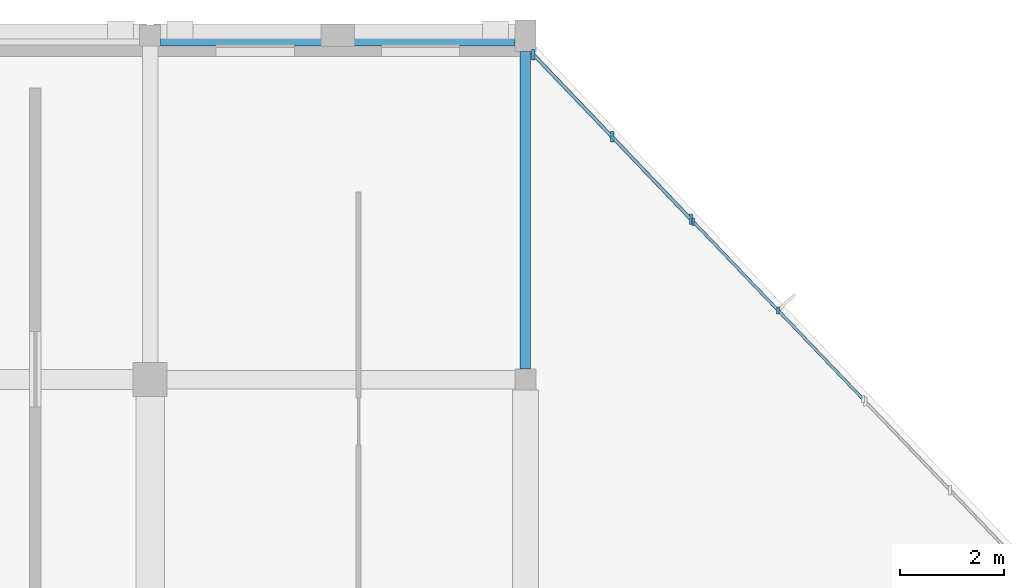
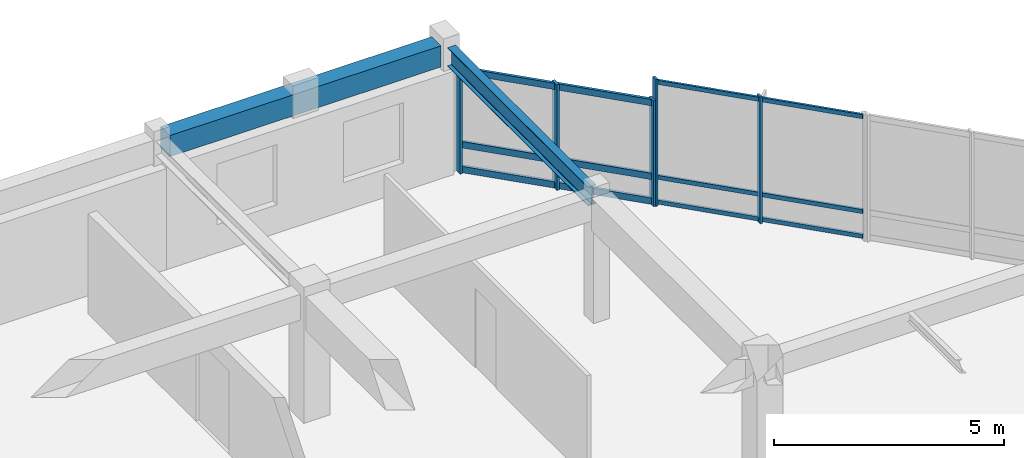
# One storey, part 9 of 18: 17 members, 2 beams, 2 elements without a shape of their own.
"""IFC4 building model written with IfcOpenShell, lengths in metres."""

from ifc_helpers import new_model, si_unit, direction, frame, origin, origin_2d, place, context, subcontext, project, spatial, rectangle, i_section, extrude, material, material_profile, profile_set, type_object, element, aggregate, save


model = new_model("IFC4")

# Units and contexts
model_context = context("Model", 3, precision=1e-05, world=origin(), true_north=direction((0.0, 1.0)))
body_context = subcontext(model_context, "Body", "Model", "MODEL_VIEW")
ifc_project = project(units=[si_unit("LENGTHUNIT", "METRE"), si_unit("AREAUNIT", "SQUARE_METRE"), si_unit("VOLUMEUNIT", "CUBIC_METRE"), si_unit("PLANEANGLEUNIT", "RADIAN"), si_unit("MASSUNIT", "GRAM", prefix="KILO")], contexts=[model_context])

# Site, building, storey
site_placement = place(None, origin())
site = spatial("IfcSite", under=ifc_project, at=site_placement, CompositionType="ELEMENT")
building_placement = place(site_placement, origin())
building = spatial("IfcBuilding", under=site, at=building_placement, Name="Clarverna Civic Hall", CompositionType="ELEMENT")
storey_placement = place(building_placement, frame((0.0, 0.0, 20.39990234375)))
storey = spatial("IfcBuildingStorey", under=building, at=storey_placement, Name="L05", CompositionType="ELEMENT", Elevation=20.39990234375)

# Beams
ifc_material_1 = material(Name="Concrete C35/45", Category="concrete")
ifc_material_profile_1 = material_profile(ifc_material_1, rectangle(XDim=0.39990234375, YDim=0.56005859375, at=origin_2d()), Name="RC 400x560")
ifc_profile_set_1 = profile_set([ifc_material_profile_1], Name="Concrete C35/45")
beam_type_1 = type_object("IfcBeamType", Name="B-SP4", PredefinedType="SPANDREL", material=ifc_profile_set_1)
beam_1_placement = place(storey_placement, frame((147.800048828125, 116.0, 3.080078125), z_axis=(1.0, 0.0, 0.0), x_axis=(0.0, 1.0, 0.0)))
element("IfcBeam", 1, at=beam_1_placement, inside=storey, type_object=beam_type_1, Name="B-SP4-152", PredefinedType="SPANDREL", context=body_context, shape_type="SweptSolid", body=[
    extrude(rectangle(XDim=0.39990234375, YDim=0.56005859375, at=origin_2d()), origin(), (0.0, 0.0, 1.0), 6.800048828125),
])
ifc_material_2 = material(Name="Steel S355", Category="steel")
ifc_material_profile_2 = material_profile(ifc_material_2, i_section(OverallWidth=0.199951171875, OverallDepth=0.5, WebThickness=0.01025390625, FlangeThickness=0.01611328125, FilletRadius=0.02099609375, at=origin_2d()), Name="IPE 500")
ifc_profile_set_2 = profile_set([ifc_material_profile_2], Name="Steel S355")
beam_type_2 = type_object("IfcBeamType", Name="B-ST12", PredefinedType="BEAM", material=ifc_profile_set_2)
beam_2_placement = place(storey_placement, frame((154.800048828125, 109.60009765625, 3.090087890625), z_axis=(0.0, 1.0, 0.0), x_axis=(-1.0, 0.0, 0.0)))
element("IfcBeam", 2, at=beam_2_placement, inside=storey, type_object=beam_type_2, Name="B-ST12-021", PredefinedType="BEAM", context=body_context, shape_type="SweptSolid", body=[
    extrude(i_section(OverallWidth=0.199951171875, OverallDepth=0.5, WebThickness=0.01025390625, FlangeThickness=0.01611328125, FilletRadius=0.02099609375, at=origin_2d()), origin(), (0.0, 0.0, 1.0), 6.099853515625),
])

# Curtain wall, members
ifc_material_3 = material(Name="Anodised Bronze Architectural Aluminium", Category="aluminium")
curtain_wall_type = type_object("IfcCurtainWallType", Name="CW-01", PredefinedType="USERDEFINED", material=ifc_material_3)
curtain_wall_1_placement = place(storey_placement, origin())
curtain_wall_1 = element("IfcCurtainWall", 3, at=curtain_wall_1_placement, inside=storey, type_object=curtain_wall_type, Name="CW-01-101", ObjectType="UNITISED CURTAIN WALL", PredefinedType="USERDEFINED")
ifc_material_profile_3 = material_profile(ifc_material_3, rectangle(XDim=0.06494140625, YDim=0.199951171875, at=origin_2d()), Name="BRONZE 65x200")
ifc_profile_set_3 = profile_set([ifc_material_profile_3], Name="Anodised Bronze Architectural Aluminium")
member_type_1 = type_object("IfcMemberType", Name="CWM-03", PredefinedType="MULLION", material=ifc_profile_set_3)
member_1_placement = place(storey_placement, frame((154.9541015625, 115.63623046875, 0.0), z_axis=(0.0, 0.0, 1.0), x_axis=(1.0, 0.0, 0.0)))
member_1 = element("IfcMember", 4, at=member_1_placement, type_object=member_type_1, Name="CWM-03-199", PredefinedType="MULLION", context=body_context, shape_type="SweptSolid", body=[
    extrude(rectangle(XDim=0.06494140625, YDim=0.199951171875, at=origin_2d()), origin(), (0.0, 0.0, 1.0), 2.800048828125),
])
member_2_placement = place(storey_placement, frame((156.465087890625, 114.056640625, 0.0), z_axis=(0.0, 0.0, 1.0), x_axis=(1.0, 0.0, 0.0)))
member_2 = element("IfcMember", 5, at=member_2_placement, type_object=member_type_1, Name="CWM-03-200", PredefinedType="MULLION", context=body_context, shape_type="SweptSolid", body=[
    extrude(rectangle(XDim=0.06494140625, YDim=0.199951171875, at=origin_2d()), origin(), (0.0, 0.0, 1.0), 2.800048828125),
])
member_3_placement = place(storey_placement, frame((157.97607421875, 112.47705078125, 0.0), z_axis=(0.0, 0.0, 1.0), x_axis=(1.0, 0.0, 0.0)))
member_3 = element("IfcMember", 6, at=member_3_placement, type_object=member_type_1, Name="CWM-03-201", PredefinedType="MULLION", context=body_context, shape_type="SweptSolid", body=[
    extrude(rectangle(XDim=0.06494140625, YDim=0.199951171875, at=origin_2d()), origin(), (0.0, 0.0, 1.0), 2.800048828125),
])

curtain_wall_2_placement = place(storey_placement, origin())
curtain_wall_2 = element("IfcCurtainWall", 7, at=curtain_wall_2_placement, inside=storey, type_object=curtain_wall_type, Name="CW-01-102", ObjectType="UNITISED CURTAIN WALL", PredefinedType="USERDEFINED")
ifc_material_profile_4 = material_profile(ifc_material_3, rectangle(XDim=0.054931640625, YDim=0.139892578125, at=origin_2d()), Name="BRONZE 55x140")
ifc_profile_set_4 = profile_set([ifc_material_profile_4], Name="Anodised Bronze Architectural Aluminium")
member_type_2 = type_object("IfcMemberType", Name="CWM-04", PredefinedType="MULLION", material=ifc_profile_set_4)
member_4_placement = place(storey_placement, frame((158.021484375, 112.429443359375, 0.0), z_axis=(0.0, 0.0, 1.0), x_axis=(1.0, 0.0, 0.0)))
member_4 = element("IfcMember", 8, at=member_4_placement, type_object=member_type_2, Name="CWM-04-222", PredefinedType="MULLION", context=body_context, shape_type="SweptSolid", body=[
    extrude(rectangle(XDim=0.054931640625, YDim=0.139892578125, at=origin_2d()), origin(), (0.0, 0.0, 1.0), 3.360107421875),
])
member_5_placement = place(storey_placement, frame((159.648681640625, 110.728271484375, 0.0), z_axis=(0.0, 0.0, 1.0), x_axis=(1.0, 0.0, 0.0)))
member_5 = element("IfcMember", 9, at=member_5_placement, type_object=member_type_2, Name="CWM-04-223", PredefinedType="MULLION", context=body_context, shape_type="SweptSolid", body=[
    extrude(rectangle(XDim=0.054931640625, YDim=0.139892578125, at=origin_2d()), origin(), (0.0, 0.0, 1.0), 3.360107421875),
])

# Member
ifc_material_profile_5 = material_profile(ifc_material_3, rectangle(XDim=0.06494140625, YDim=0.169921875, at=origin_2d()), Name="BRONZE 65x170")
ifc_profile_set_5 = profile_set([ifc_material_profile_5], Name="Anodised Bronze Architectural Aluminium")
member_type_3 = type_object("IfcMemberType", Name="CWT-03", PredefinedType="USERDEFINED", material=ifc_profile_set_5)
member_6_placement = place(storey_placement, frame((154.964599609375, 115.62548828125, 0.09521484375), z_axis=(0.691132648489, -0.722727930962, 0.0), x_axis=(0.722727930962, 0.691132648489, 0.0)))
member_6 = element("IfcMember", 10, at=member_6_placement, type_object=member_type_3, Name="CWT-03-424", ObjectType="TRANSOM", PredefinedType="USERDEFINED", context=body_context, shape_type="SweptSolid", body=[
    extrude(rectangle(XDim=0.06494140625, YDim=0.169921875, at=origin_2d()), origin(), (0.0, 0.0, 1.0), 2.15576171875),
])

member_7_placement = place(storey_placement, frame((154.964599609375, 115.62548828125, 0.75), z_axis=(0.691132648489, -0.722727930962, 0.0), x_axis=(0.722727930962, 0.691132648489, 0.0)))
member_7 = element("IfcMember", 11, at=member_7_placement, type_object=member_type_3, Name="CWT-03-425", ObjectType="TRANSOM", PredefinedType="USERDEFINED", context=body_context, shape_type="SweptSolid", body=[
    extrude(rectangle(XDim=0.06494140625, YDim=0.169921875, at=origin_2d()), origin(), (0.0, 0.0, 1.0), 2.15576171875),
])

member_8_placement = place(storey_placement, frame((154.964599609375, 115.62548828125, 2.705078125), z_axis=(0.691132648489, -0.722727930962, 0.0), x_axis=(0.722727930962, 0.691132648489, 0.0)))
member_8 = element("IfcMember", 12, at=member_8_placement, type_object=member_type_3, Name="CWT-03-426", ObjectType="TRANSOM", PredefinedType="USERDEFINED", context=body_context, shape_type="SweptSolid", body=[
    extrude(rectangle(XDim=0.06494140625, YDim=0.169921875, at=origin_2d()), origin(), (0.0, 0.0, 1.0), 2.15576171875),
])

member_9_placement = place(storey_placement, frame((156.4755859375, 114.0458984375, 0.09521484375), z_axis=(0.691132648489, -0.722727930962, 0.0), x_axis=(0.722727930962, 0.691132648489, 0.0)))
member_9 = element("IfcMember", 13, at=member_9_placement, type_object=member_type_3, Name="CWT-03-427", ObjectType="TRANSOM", PredefinedType="USERDEFINED", context=body_context, shape_type="SweptSolid", body=[
    extrude(rectangle(XDim=0.06494140625, YDim=0.169921875, at=origin_2d()), origin(), (0.0, 0.0, 1.0), 2.15576171875),
])

member_10_placement = place(storey_placement, frame((156.4755859375, 114.0458984375, 0.75), z_axis=(0.691132648489, -0.722727930962, 0.0), x_axis=(0.722727930962, 0.691132648489, 0.0)))
member_10 = element("IfcMember", 14, at=member_10_placement, type_object=member_type_3, Name="CWT-03-428", ObjectType="TRANSOM", PredefinedType="USERDEFINED", context=body_context, shape_type="SweptSolid", body=[
    extrude(rectangle(XDim=0.06494140625, YDim=0.169921875, at=origin_2d()), origin(), (0.0, 0.0, 1.0), 2.15576171875),
])

member_11_placement = place(storey_placement, frame((156.4755859375, 114.0458984375, 2.705078125), z_axis=(0.691132648489, -0.722727930962, 0.0), x_axis=(0.722727930962, 0.691132648489, 0.0)))
member_11 = element("IfcMember", 15, at=member_11_placement, type_object=member_type_3, Name="CWT-03-429", ObjectType="TRANSOM", PredefinedType="USERDEFINED", context=body_context, shape_type="SweptSolid", body=[
    extrude(rectangle(XDim=0.06494140625, YDim=0.169921875, at=origin_2d()), origin(), (0.0, 0.0, 1.0), 2.15576171875),
])

aggregate(curtain_wall_1, [member_1, member_2, member_3, member_6, member_7, member_8, member_9, member_10, member_11])

ifc_material_profile_6 = material_profile(ifc_material_3, rectangle(XDim=0.054931640625, YDim=0.110107421875, at=origin_2d()), Name="BRONZE 55x110")
ifc_profile_set_6 = profile_set([ifc_material_profile_6], Name="Anodised Bronze Architectural Aluminium")
member_type_4 = type_object("IfcMemberType", Name="CWT-04", PredefinedType="USERDEFINED", material=ifc_profile_set_6)
member_12_placement = place(storey_placement, frame((158.031982421875, 112.418701171875, 0.09521484375), z_axis=(0.691174945329, -0.722687480831, 0.0), x_axis=(0.722687480831, 0.691174945329, 0.0)))
member_12 = element("IfcMember", 16, at=member_12_placement, type_object=member_type_4, Name="CWT-04-472", ObjectType="TRANSOM", PredefinedType="USERDEFINED", context=body_context, shape_type="SweptSolid", body=[
    extrude(rectangle(XDim=0.054931640625, YDim=0.110107421875, at=origin_2d()), origin(), (0.0, 0.0, 1.0), 2.32421875),
])

member_13_placement = place(storey_placement, frame((158.031982421875, 112.418701171875, 0.75), z_axis=(0.691174945329, -0.722687480831, 0.0), x_axis=(0.722687480831, 0.691174945329, 0.0)))
member_13 = element("IfcMember", 17, at=member_13_placement, type_object=member_type_4, Name="CWT-04-473", ObjectType="TRANSOM", PredefinedType="USERDEFINED", context=body_context, shape_type="SweptSolid", body=[
    extrude(rectangle(XDim=0.054931640625, YDim=0.110107421875, at=origin_2d()), origin(), (0.0, 0.0, 1.0), 2.32421875),
])

member_14_placement = place(storey_placement, frame((158.031982421875, 112.418701171875, 3.26513671875), z_axis=(0.691174945329, -0.722687480831, 0.0), x_axis=(0.722687480831, 0.691174945329, 0.0)))
member_14 = element("IfcMember", 18, at=member_14_placement, type_object=member_type_4, Name="CWT-04-474", ObjectType="TRANSOM", PredefinedType="USERDEFINED", context=body_context, shape_type="SweptSolid", body=[
    extrude(rectangle(XDim=0.054931640625, YDim=0.110107421875, at=origin_2d()), origin(), (0.0, 0.0, 1.0), 2.32421875),
])

member_15_placement = place(storey_placement, frame((159.6591796875, 110.71728515625, 0.09521484375), z_axis=(0.691227416228, -0.72263729426, 0.0), x_axis=(0.72263729426, 0.691227416228, 0.0)))
member_15 = element("IfcMember", 19, at=member_15_placement, type_object=member_type_4, Name="CWT-04-475", ObjectType="TRANSOM", PredefinedType="USERDEFINED", context=body_context, shape_type="SweptSolid", body=[
    extrude(rectangle(XDim=0.054931640625, YDim=0.110107421875, at=origin_2d()), origin(), (0.0, 0.0, 1.0), 2.323974609375),
])

member_16_placement = place(storey_placement, frame((159.6591796875, 110.71728515625, 0.75), z_axis=(0.691227416228, -0.72263729426, 0.0), x_axis=(0.72263729426, 0.691227416228, 0.0)))
member_16 = element("IfcMember", 20, at=member_16_placement, type_object=member_type_4, Name="CWT-04-476", ObjectType="TRANSOM", PredefinedType="USERDEFINED", context=body_context, shape_type="SweptSolid", body=[
    extrude(rectangle(XDim=0.054931640625, YDim=0.110107421875, at=origin_2d()), origin(), (0.0, 0.0, 1.0), 2.323974609375),
])

member_17_placement = place(storey_placement, frame((159.6591796875, 110.71728515625, 3.26513671875), z_axis=(0.691227416228, -0.72263729426, 0.0), x_axis=(0.72263729426, 0.691227416228, 0.0)))
member_17 = element("IfcMember", 21, at=member_17_placement, type_object=member_type_4, Name="CWT-04-477", ObjectType="TRANSOM", PredefinedType="USERDEFINED", context=body_context, shape_type="SweptSolid", body=[
    extrude(rectangle(XDim=0.054931640625, YDim=0.110107421875, at=origin_2d()), origin(), (0.0, 0.0, 1.0), 2.323974609375),
])

aggregate(curtain_wall_2, [member_4, member_5, member_12, member_13, member_14, member_15, member_16, member_17])

save(model, "model.ifc")
